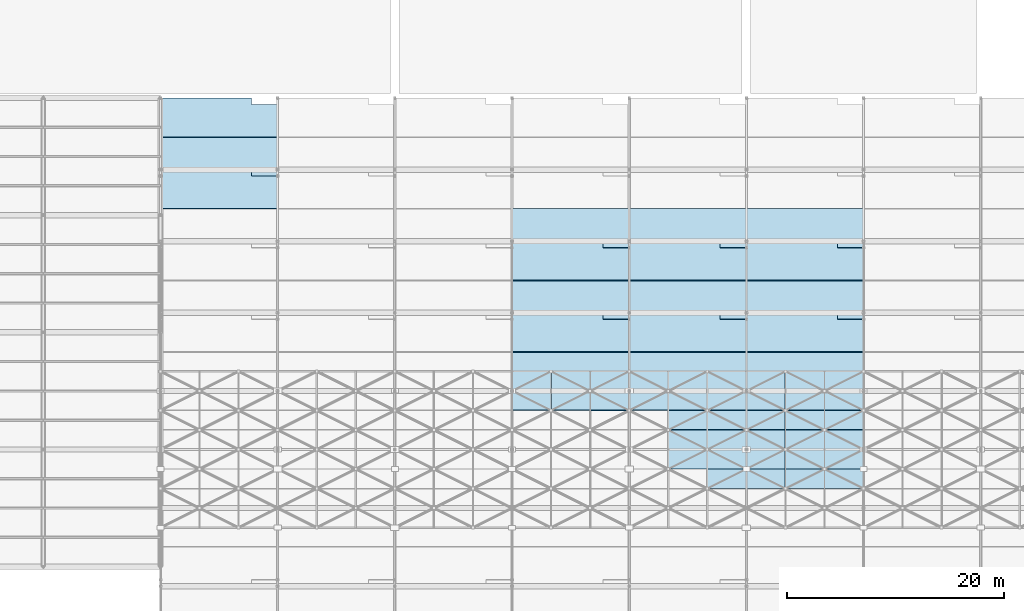
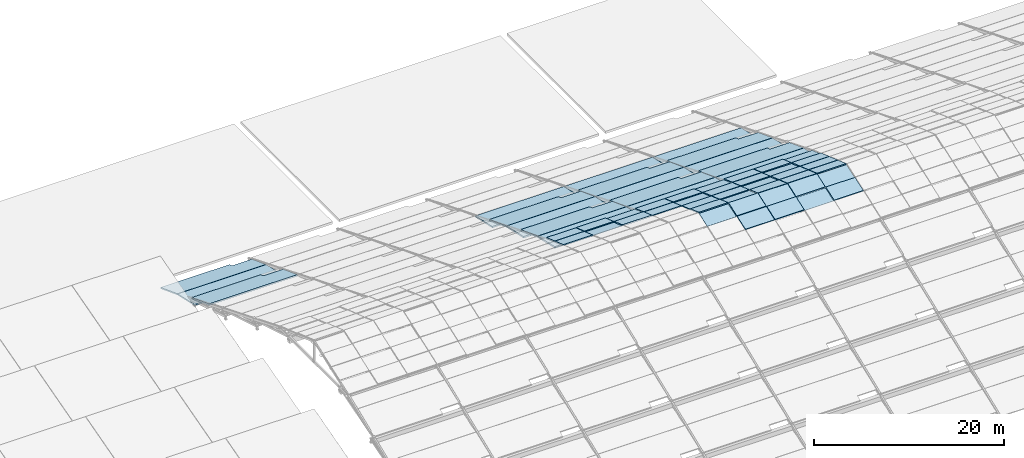
# One storey, part 100 of 112: 37 plates, 18 slabs, 3 elements without a shape of their own.
"""IFC4 building model written with IfcOpenShell, lengths in metres."""

import ifcopenshell
import ifcopenshell.guid

model = None  # the IFC model being written
_history = None  # IfcOwnerHistory: only IFC2X3 demands one
_inside = {}  # id of a spatial element -> (the spatial element, [elements in it])
_under = {}  # id of a project, library or spatial element -> (it, [spatial elements below it])
_declared = {}  # id of a project -> (the project, [libraries it declares])
_typed = {}  # id of a type object -> (the type object, [elements of that type])
_made_of = {}  # id of a material, layer set ... -> (it, [elements and type objects made of it])


def new_model(schema):
    """Start an empty IFC model of exactly this schema.

    Asked for "IFC4X3", IfcOpenShell would pick the latest addendum, in which some entities
    have other attributes; the version numbers below select the first issue.
    IFC2X3 requires an IfcOwnerHistory on every rooted entity: one is made here for all.
    """
    global model, _history
    if schema == "IFC4X3":
        model = ifcopenshell.file(schema_version=(4, 3, 0, 0))
    else:
        model = ifcopenshell.file(schema=schema)
    _inside.clear()
    _under.clear()
    _declared.clear()
    _typed.clear()
    _made_of.clear()
    _history = None
    if model.schema == "IFC2X3":
        org = make("IfcOrganization", Name="unknown")
        user = make(
            "IfcPersonAndOrganization",
            ThePerson=make("IfcPerson", FamilyName="unknown"),
            TheOrganization=org,
        )
        app = make(
            "IfcApplication",
            ApplicationDeveloper=org,
            Version="unknown",
            ApplicationFullName="unknown",
            ApplicationIdentifier="unknown",
        )
        _history = make(
            "IfcOwnerHistory",
            OwningUser=user,
            OwningApplication=app,
            ChangeAction="ADDED",
            CreationDate=0,
        )
    return model


def make(cls, **values):
    """One entity of the class cls with the attributes given. An attribute that is None is left unset."""
    return model.create_entity(
        cls, **{name: value for name, value in values.items() if value is not None}
    )


def rooted(cls, **values):
    """An entity with a GlobalId (a new one), such as an element, a storey or a relation."""
    return make(cls, GlobalId=ifcopenshell.guid.new(), OwnerHistory=_history, **values)


def si_unit(unit_type, name, prefix=None):
    """IfcSIUnit, for example si_unit("LENGTHUNIT", "METRE", prefix="MILLI")."""
    return make("IfcSIUnit", UnitType=unit_type, Prefix=prefix, Name=name)


def assignment(units):
    """IfcUnitAssignment: the units of a project."""
    return None if units is None else make("IfcUnitAssignment", Units=units)


def point(xyz):
    """IfcCartesianPoint."""
    return None if xyz is None else make("IfcCartesianPoint", Coordinates=xyz)


def direction(xyz):
    """IfcDirection."""
    return None if xyz is None else make("IfcDirection", DirectionRatios=xyz)


def frame(location, z_axis=None, x_axis=None):
    """IfcAxis2Placement3D, a coordinate frame: its origin and axes. An axis left out is left unset."""
    return make(
        "IfcAxis2Placement3D",
        Location=point(location),
        Axis=direction(z_axis),
        RefDirection=direction(x_axis),
    )


def origin():
    """The frame at (0, 0, 0) with its axes left unset."""
    return frame((0.0, 0.0, 0.0))


def place(relative_to, where):
    """IfcLocalPlacement: puts the frame where relative to a parent placement (None: the world)."""
    return make(
        "IfcLocalPlacement", PlacementRelTo=relative_to, RelativePlacement=where
    )


def context(
    kind, dimensions, precision=None, world=None, true_north=None, identifier=None
):
    """IfcGeometricRepresentationContext, for example the 3D "Model" context."""
    return make(
        "IfcGeometricRepresentationContext",
        ContextIdentifier=identifier,
        ContextType=kind,
        CoordinateSpaceDimension=dimensions,
        Precision=precision,
        WorldCoordinateSystem=world,
        TrueNorth=true_north,
    )


def subcontext(parent, identifier, kind, view, scale=None):
    """IfcGeometricRepresentationSubContext, for example "Body" below "Model"."""
    return make(
        "IfcGeometricRepresentationSubContext",
        ContextIdentifier=identifier,
        ContextType=kind,
        ParentContext=parent,
        TargetScale=scale,
        TargetView=view,
    )


def project(units=None, contexts=None):
    """IfcProject with its units and contexts."""
    return rooted(
        "IfcProject",
        Name="project",
        RepresentationContexts=contexts,
        UnitsInContext=assignment(units),
    )


def spatial(cls, under=None, at=None, **own):
    """A site, building, storey or space (cls), placed at a placement, below another one or the project."""
    s = rooted(cls, ObjectPlacement=at, **own)
    if under is not None:
        _under.setdefault(under.id(), (under, []))[1].append(s)
    return s


def polyline(points):
    """IfcPolyline through the points."""
    return make("IfcPolyline", Points=[point(p) for p in points])


def outline(outer, holes=None, kind="AREA"):
    """IfcArbitraryClosedProfileDef: a profile drawn as a closed curve; with holes, ...WithVoids."""
    if holes is None:
        return make("IfcArbitraryClosedProfileDef", ProfileType=kind, OuterCurve=outer)
    return make(
        "IfcArbitraryProfileDefWithVoids",
        ProfileType=kind,
        OuterCurve=outer,
        InnerCurves=holes,
    )


def extrude(swept, where, along, depth):
    """IfcExtrudedAreaSolid: the profile swept, set in the frame where, extruded along a direction by depth."""
    return make(
        "IfcExtrudedAreaSolid",
        SweptArea=swept,
        Position=where,
        ExtrudedDirection=direction(along),
        Depth=depth,
    )


def shape(context_of_items, identifier, shape_type, items):
    """IfcShapeRepresentation: the items that make up one representation, for example the "Body"."""
    return make(
        "IfcShapeRepresentation",
        ContextOfItems=context_of_items,
        RepresentationIdentifier=identifier,
        RepresentationType=shape_type,
        Items=items,
    )


def material(Name=None, Category=None):
    """IfcMaterial."""
    return make("IfcMaterial", Name=Name, Category=Category)


def layer(
    of_material, thickness, ventilated=None, Name=None, Category=None, Priority=None
):
    """IfcMaterialLayer: one layer of a wall or slab, of a material (None: an air gap)."""
    return make(
        "IfcMaterialLayer",
        Material=of_material,
        LayerThickness=thickness,
        IsVentilated=ventilated,
        Name=Name,
        Category=Category,
        Priority=Priority,
    )


def layer_set(layers, Name=None):
    """IfcMaterialLayerSet."""
    return make("IfcMaterialLayerSet", MaterialLayers=layers, LayerSetName=Name)


def made_of(thing, what):
    """Note that an element or type object is made of a material, layer set ...; save() writes the relation."""
    if what is not None:
        _made_of.setdefault(what.id(), (what, []))[1].append(thing)
    return thing


def type_object(cls, material=None, **own):
    """A type object (cls), such as IfcWallType, which elements share."""
    return made_of(rooted(cls, **own), material)


def element(
    cls,
    number,
    at=None,
    inside=None,
    cuts=None,
    type_object=None,
    material=None,
    context=None,
    identifier="Body",
    shape_type=None,
    held_by="IfcProductDefinitionShape",
    body=None,
    shapes=None,
    **own,
):
    """One element of the class cls, such as IfcWall. Its Tag is "e" and its number.

    at: its placement. inside: the storey or other place that contains it. cuts: it is an
    opening in that element (IfcRelVoidsElement). A single representation is given by context,
    identifier, shape_type and body (its items); several are given by shapes. held_by: the class
    of the entity that holds the representations. save() writes the other relations.
    """
    e = rooted(cls, Tag="e%d" % number, ObjectPlacement=at, **own)
    if body is not None:
        shapes = [shape(context, identifier, shape_type, body)]
    if shapes is not None:
        e.Representation = make(held_by, Representations=shapes)
    if inside is not None:
        _inside.setdefault(inside.id(), (inside, []))[1].append(e)
    if cuts is not None:
        rooted(
            "IfcRelVoidsElement", RelatingBuildingElement=cuts, RelatedOpeningElement=e
        )
    if type_object is not None:
        _typed.setdefault(type_object.id(), (type_object, []))[1].append(e)
    return made_of(e, material)


def aggregate(whole, parts):
    """IfcRelAggregates: a whole, such as a stair, and the parts it consists of."""
    return rooted("IfcRelAggregates", RelatingObject=whole, RelatedObjects=parts)


def save(model, path):
    """Write the relations noted so far, then the file.

    IfcRelAggregates (storeys below a building ...), IfcRelContainedInSpatialStructure (elements
    in a storey), IfcRelDefinesByType, IfcRelAssociatesMaterial and IfcRelDeclares: one each for
    every whole, place, type object, material and project.
    """
    for whole, parts in _under.values():
        aggregate(whole, parts)
    for where, things in _inside.values():
        rooted(
            "IfcRelContainedInSpatialStructure",
            RelatedElements=things,
            RelatingStructure=where,
        )
    for kind, things in _typed.values():
        rooted("IfcRelDefinesByType", RelatedObjects=things, RelatingType=kind)
    for what, things in _made_of.values():
        rooted("IfcRelAssociatesMaterial", RelatedObjects=things, RelatingMaterial=what)
    for by, libraries in _declared.values():
        rooted("IfcRelDeclares", RelatingContext=by, RelatedDefinitions=libraries)
    model.write(path)


model = new_model("IFC4")

# Units and contexts
model_context = context("Model", 3, precision=1e-05, world=origin(), true_north=direction((0.0, 1.0)))
body_context = subcontext(model_context, "Body", "Model", "MODEL_VIEW")
ifc_project = project(units=[si_unit("LENGTHUNIT", "METRE"), si_unit("AREAUNIT", "SQUARE_METRE"), si_unit("VOLUMEUNIT", "CUBIC_METRE"), si_unit("PLANEANGLEUNIT", "RADIAN"), si_unit("MASSUNIT", "GRAM", prefix="KILO")], contexts=[model_context])

# Site, building, storey
site_placement = place(None, origin())
site = spatial("IfcSite", under=ifc_project, at=site_placement, CompositionType="ELEMENT")
building_placement = place(site_placement, origin())
building = spatial("IfcBuilding", under=site, at=building_placement, Name="Zwinboog Wholesale Market", CompositionType="ELEMENT")
storey_placement = place(building_placement, frame((0.0, 0.0, 19.080078125)))
storey = spatial("IfcBuildingStorey", under=building, at=storey_placement, Name="Roof", CompositionType="ELEMENT", Elevation=19.080078125)

# Roof, slabs
ifc_material_1 = material(Name="Concrete C50/60", Category="concrete")
roof_type = type_object("IfcRoofType", Name="RFT-SHELL-BARREL", PredefinedType="BARREL_ROOF", material=ifc_material_1)
roof_1_placement = place(storey_placement, origin())
roof_1 = element("IfcRoof", 1, at=roof_1_placement, inside=storey, type_object=roof_type, Name="RF-SH (ROOF-BARREL-01)", PredefinedType="BARREL_ROOF")
ifc_layer_1 = layer(ifc_material_1, 0.159912109375)
ifc_layer_set_1 = layer_set([ifc_layer_1], Name="Concrete C50/60")
slab_type_1 = type_object("IfcSlabType", Name="SLT-SH-160", PredefinedType="ROOF", material=ifc_layer_set_1)
slab_1_placement = place(storey_placement, frame((64.81005859375, 104.409912109375, -8.135009765625), z_axis=(4.693168e-06, 0.35168856816, 0.936117060524), x_axis=(0.999999999989, -1.650534e-06, -4.393355e-06)))
slab_1 = element("IfcSlab", 2, at=slab_1_placement, type_object=slab_type_1, Name="SH-160 (SLB-SH-NT1-B01-1)", PredefinedType="ROOF", context=body_context, shape_type="SweptSolid", body=[
    extrude(outline(polyline([(0.0, 0.0), (10.78002929675628, 2.2827599967049336e-21), (10.780029297125427, 3.1833712437689723), (8.37988281277686, 3.1833712437689723), (8.379882812301984, 3.8243830316615175), (-1.0573042088097136e-10, 3.8243830316615175), (0.0, 0.0)])), origin(), (0.0, 0.0, -1.0), 0.159912109375),
])
slab_2_placement = place(storey_placement, frame((64.81005859375, 100.81005859375, -7.330078125), z_axis=(0.0, 0.219374447053, 0.975640739197), x_axis=(1.0, 0.0, 0.0)))
slab_2 = element("IfcSlab", 3, at=slab_2_placement, type_object=slab_type_1, Name="SH-160 (SLB-SH-NT1-B01-2)", PredefinedType="ROOF", context=body_context, shape_type="SweptSolid", body=[
    extrude(outline(polyline([(0.0, 0.0), (10.780029296875, 0.0), (10.780029296875, 3.6692133082944967), (0.0, 3.6692133082944967), (0.0, 0.0)])), origin(), (0.0, 0.0, -1.0), 0.159912109375),
])
ifc_layer_2 = layer(ifc_material_1, 0.172119140625)
ifc_layer_set_2 = layer_set([ifc_layer_2], Name="Concrete C50/60")
slab_type_2 = type_object("IfcSlabType", Name="SLT-SH-172", PredefinedType="ROOF", material=ifc_layer_set_2)
slab_3_placement = place(storey_placement, frame((64.81005859375, 97.81005859375, -5.43505859375), z_axis=(1.249569e-06, 0.351705539728, 0.936110684334), x_axis=(0.999999999999, -4.3948e-07, -1.169735e-06)))
slab_3 = element("IfcSlab", 4, at=slab_3_placement, type_object=slab_type_2, Name="SH-172 (SLB-SH-NT2-B01-1)", PredefinedType="ROOF", context=body_context, shape_type="SweptSolid", body=[
    extrude(outline(polyline([(0.0, 0.0), (10.780029296866584, 0.0), (10.780029296892753, 3.183371244671827), (8.379882812519627, 3.183371244671827), (8.379882812485961, 3.824154487977018), (-7.495290763518035e-12, 3.824154487977018), (0.0, 0.0)])), origin(), (0.0, 0.0, -1.0), 0.172119140625),
])

# Roof, slab
roof_2_placement = place(storey_placement, origin())
roof_2 = element("IfcRoof", 5, at=roof_2_placement, inside=storey, type_object=roof_type, Name="RF-SH (ROOF-BARREL-04)", PredefinedType="BARREL_ROOF")
slab_4_placement = place(storey_placement, frame((97.2099609375, 94.2099609375, -4.630126953125), z_axis=(0.0, 0.219360206869, 0.975643941017), x_axis=(1.0, 0.0, 0.0)))
slab_4 = element("IfcSlab", 6, at=slab_4_placement, type_object=slab_type_2, Name="SH-172 (SLB-SH-NT2-B04-2)", PredefinedType="ROOF", context=body_context, shape_type="SweptSolid", body=[
    extrude(outline(polyline([(0.0, 0.0), (10.780029296875, 0.0), (10.780029296875, 3.669451502225199), (0.0, 3.669451502225199), (0.0, 0.0)])), origin(), (0.0, 0.0, -1.0), 0.172119140625),
])

roof_3_placement = place(storey_placement, origin())
roof_3 = element("IfcRoof", 7, at=roof_3_placement, inside=storey, type_object=roof_type, Name="RF-SH (ROOF-BARREL-05)", PredefinedType="BARREL_ROOF")
slab_5_placement = place(storey_placement, frame((108.010009765625, 94.2099609375, -4.630126953125), z_axis=(0.0, 0.219360206869, 0.975643941017), x_axis=(1.0, 0.0, 0.0)))
slab_5 = element("IfcSlab", 8, at=slab_5_placement, type_object=slab_type_2, Name="SH-172 (SLB-SH-NT2-B05-2)", PredefinedType="ROOF", context=body_context, shape_type="SweptSolid", body=[
    extrude(outline(polyline([(0.0, 0.0), (10.780029296875, 0.0), (10.780029296875, 3.669451502225199), (0.0, 3.669451502225199), (0.0, 0.0)])), origin(), (0.0, 0.0, -1.0), 0.172119140625),
])

# Slab
slab_6_placement = place(storey_placement, frame((118.81005859375, 94.2099609375, -4.630126953125), z_axis=(0.0, 0.219360206869, 0.975643941017), x_axis=(1.0, 0.0, 0.0)))
slab_6 = element("IfcSlab", 9, at=slab_6_placement, type_object=slab_type_2, Name="SH-172 (SLB-SH-NT2-B06-2)", PredefinedType="ROOF", context=body_context, shape_type="SweptSolid", body=[
    extrude(outline(polyline([(0.0, 0.0), (10.780029296875, 0.0), (10.780029296875, 3.669451502225199), (0.0, 3.669451502225199), (0.0, 0.0)])), origin(), (0.0, 0.0, -1.0), 0.172119140625),
])

ifc_layer_3 = layer(ifc_material_1, 0.18603515625)
ifc_layer_set_3 = layer_set([ifc_layer_3], Name="Concrete C50/60")
slab_type_3 = type_object("IfcSlabType", Name="SLT-SH-186", PredefinedType="ROOF", material=ifc_layer_set_3)
slab_7_placement = place(storey_placement, frame((97.2099609375, 91.2099609375, -2.735107421875), z_axis=(4.69315e-06, 0.351688567577, 0.936117060743), x_axis=(0.999999999989, -1.650527e-06, -4.393337e-06)))
slab_7 = element("IfcSlab", 10, at=slab_7_placement, type_object=slab_type_3, Name="SH-186 (SLB-SH-NT3-B04-1)", PredefinedType="ROOF", context=body_context, shape_type="SweptSolid", body=[
    extrude(outline(polyline([(0.0, 0.0), (10.78002929675628, 2.2827599967049336e-21), (10.780029297125436, 3.183371243768923), (8.380126953401867, 3.183371243768923), (8.380126952926993, 3.824383031661531), (-1.0571883235301646e-10, 3.824383031661531), (0.0, 0.0)])), origin(), (0.0, 0.0, -1.0), 0.18603515625),
])

slab_8_placement = place(storey_placement, frame((97.2099609375, 87.610107421875, -1.93017578125), z_axis=(0.0, 0.219374447053, 0.975640739197), x_axis=(1.0, 0.0, 0.0)))
slab_8 = element("IfcSlab", 11, at=slab_8_placement, type_object=slab_type_3, Name="SH-186 (SLB-SH-NT3-B04-2)", PredefinedType="ROOF", context=body_context, shape_type="SweptSolid", body=[
    extrude(outline(polyline([(0.0, 0.0), (10.780029296875, 0.0), (10.780029296875, 3.6692133082944967), (0.0, 3.6692133082944967), (0.0, 0.0)])), origin(), (0.0, 0.0, -1.0), 0.18603515625),
])

slab_9_placement = place(storey_placement, frame((108.010009765625, 91.2099609375, -2.735107421875), z_axis=(4.693168e-06, 0.35168856816, 0.936117060524), x_axis=(0.999999999989, -1.650534e-06, -4.393355e-06)))
slab_9 = element("IfcSlab", 12, at=slab_9_placement, type_object=slab_type_3, Name="SH-186 (SLB-SH-NT3-B05-1)", PredefinedType="ROOF", context=body_context, shape_type="SweptSolid", body=[
    extrude(outline(polyline([(0.0, 0.0), (10.78002929675628, 2.2827599967049336e-21), (10.780029297125427, 3.1833712437689723), (8.37988281277686, 3.1833712437689723), (8.379882812301984, 3.8243830316615175), (-1.0573042088097136e-10, 3.8243830316615175), (0.0, 0.0)])), origin(), (0.0, 0.0, -1.0), 0.18603515625),
])

slab_10_placement = place(storey_placement, frame((108.010009765625, 87.610107421875, -1.93017578125), z_axis=(0.0, 0.219374447053, 0.975640739197), x_axis=(1.0, 0.0, 0.0)))
slab_10 = element("IfcSlab", 13, at=slab_10_placement, type_object=slab_type_3, Name="SH-186 (SLB-SH-NT3-B05-2)", PredefinedType="ROOF", context=body_context, shape_type="SweptSolid", body=[
    extrude(outline(polyline([(0.0, 0.0), (10.780029296875, 0.0), (10.780029296875, 3.6692133082944967), (0.0, 3.6692133082944967), (0.0, 0.0)])), origin(), (0.0, 0.0, -1.0), 0.18603515625),
])

slab_11_placement = place(storey_placement, frame((118.81005859375, 91.2099609375, -2.735107421875), z_axis=(4.693168e-06, 0.35168856816, 0.936117060524), x_axis=(0.999999999989, -1.650534e-06, -4.393355e-06)))
slab_11 = element("IfcSlab", 14, at=slab_11_placement, type_object=slab_type_3, Name="SH-186 (SLB-SH-NT3-B06-1)", PredefinedType="ROOF", context=body_context, shape_type="SweptSolid", body=[
    extrude(outline(polyline([(0.0, 0.0), (10.78002929675628, 2.2827599967049336e-21), (10.780029297125427, 3.1833712437689723), (8.37988281277686, 3.1833712437689723), (8.379882812301984, 3.8243830316615175), (-1.0573042088097136e-10, 3.8243830316615175), (0.0, 0.0)])), origin(), (0.0, 0.0, -1.0), 0.18603515625),
])

slab_12_placement = place(storey_placement, frame((118.81005859375, 87.610107421875, -1.93017578125), z_axis=(0.0, 0.219374447053, 0.975640739197), x_axis=(1.0, 0.0, 0.0)))
slab_12 = element("IfcSlab", 15, at=slab_12_placement, type_object=slab_type_3, Name="SH-186 (SLB-SH-NT3-B06-2)", PredefinedType="ROOF", context=body_context, shape_type="SweptSolid", body=[
    extrude(outline(polyline([(0.0, 0.0), (10.780029296875, 0.0), (10.780029296875, 3.6692133082944967), (0.0, 3.6692133082944967), (0.0, 0.0)])), origin(), (0.0, 0.0, -1.0), 0.18603515625),
])

ifc_layer_4 = layer(ifc_material_1, 0.201904296875)
ifc_layer_set_4 = layer_set([ifc_layer_4], Name="Concrete C50/60")
slab_type_4 = type_object("IfcSlabType", Name="SLT-SH-202", PredefinedType="ROOF", material=ifc_layer_set_4)
slab_13_placement = place(storey_placement, frame((97.2099609375, 84.610107421875, -0.03515625), z_axis=(1.249564e-06, 0.351705539572, 0.936110684392), x_axis=(0.999999999999, -4.39479e-07, -1.169731e-06)))
slab_13 = element("IfcSlab", 16, at=slab_13_placement, type_object=slab_type_4, Name="SH-202 (SLB-SH-NT4-B04-1)", PredefinedType="ROOF", context=body_context, shape_type="SweptSolid", body=[
    extrude(outline(polyline([(0.0, 0.0), (10.780029296866584, -5.706899991762334e-22), (10.780029296892753, 3.183371244671823), (8.380126953144627, 3.183371244671823), (8.380126953110963, 3.824154487977019), (-7.494469264378976e-12, 3.824154487977019), (0.0, 0.0)])), origin(), (0.0, 0.0, -1.0), 0.201904296875),
])

slab_14_placement = place(storey_placement, frame((97.2099609375, 81.010009765625, 0.77001953125), z_axis=(0.0, 0.219423537249, 0.975629699887), x_axis=(1.0, 0.0, 0.0)))
slab_14 = element("IfcSlab", 17, at=slab_14_placement, type_object=slab_type_4, Name="SH-202 (SLB-SH-NT4-B04-2)", PredefinedType="ROOF", context=body_context, shape_type="SweptSolid", body=[
    extrude(outline(polyline([(0.0, 0.0), (10.780029296875, 0.0), (10.780029296875, 3.66950506469402), (0.0, 3.66950506469402), (0.0, 0.0)])), origin(), (0.0, 0.0, -1.0), 0.201904296875),
])

aggregate(roof_2, [slab_4, slab_7, slab_8, slab_13, slab_14])

slab_15_placement = place(storey_placement, frame((108.010009765625, 84.610107421875, -0.03515625), z_axis=(1.249569e-06, 0.351705539728, 0.936110684334), x_axis=(0.999999999999, -4.3948e-07, -1.169735e-06)))
slab_15 = element("IfcSlab", 18, at=slab_15_placement, type_object=slab_type_4, Name="SH-202 (SLB-SH-NT4-B05-1)", PredefinedType="ROOF", context=body_context, shape_type="SweptSolid", body=[
    extrude(outline(polyline([(0.0, 0.0), (10.780029296866584, 0.0), (10.780029296892753, 3.183371244671827), (8.379882812519627, 3.183371244671827), (8.379882812485961, 3.824154487977018), (-7.495290763518035e-12, 3.824154487977018), (0.0, 0.0)])), origin(), (0.0, 0.0, -1.0), 0.201904296875),
])

slab_16_placement = place(storey_placement, frame((108.010009765625, 81.010009765625, 0.77001953125), z_axis=(0.0, 0.219423537249, 0.975629699887), x_axis=(1.0, 0.0, 0.0)))
slab_16 = element("IfcSlab", 19, at=slab_16_placement, type_object=slab_type_4, Name="SH-202 (SLB-SH-NT4-B05-2)", PredefinedType="ROOF", context=body_context, shape_type="SweptSolid", body=[
    extrude(outline(polyline([(0.0, 0.0), (10.780029296875, 0.0), (10.780029296875, 3.66950506469402), (0.0, 3.66950506469402), (0.0, 0.0)])), origin(), (0.0, 0.0, -1.0), 0.201904296875),
])

aggregate(roof_3, [slab_5, slab_9, slab_10, slab_15, slab_16])

slab_17_placement = place(storey_placement, frame((118.81005859375, 84.610107421875, -0.03515625), z_axis=(1.249569e-06, 0.351705539728, 0.936110684334), x_axis=(0.999999999999, -4.3948e-07, -1.169735e-06)))
slab_17 = element("IfcSlab", 20, at=slab_17_placement, type_object=slab_type_4, Name="SH-202 (SLB-SH-NT4-B06-1)", PredefinedType="ROOF", context=body_context, shape_type="SweptSolid", body=[
    extrude(outline(polyline([(0.0, 0.0), (10.780029296866584, 0.0), (10.780029296892753, 3.183371244671827), (8.379882812519627, 3.183371244671827), (8.379882812485961, 3.824154487977018), (-7.495290763518035e-12, 3.824154487977018), (0.0, 0.0)])), origin(), (0.0, 0.0, -1.0), 0.201904296875),
])

slab_18_placement = place(storey_placement, frame((118.81005859375, 81.010009765625, 0.77001953125), z_axis=(0.0, 0.219423537249, 0.975629699887), x_axis=(1.0, 0.0, 0.0)))
slab_18 = element("IfcSlab", 21, at=slab_18_placement, type_object=slab_type_4, Name="SH-202 (SLB-SH-NT4-B06-2)", PredefinedType="ROOF", context=body_context, shape_type="SweptSolid", body=[
    extrude(outline(polyline([(0.0, 0.0), (10.780029296875, 0.0), (10.780029296875, 3.66950506469402), (0.0, 3.66950506469402), (0.0, 0.0)])), origin(), (0.0, 0.0, -1.0), 0.201904296875),
])

aggregate(roof_1, [slab_1, slab_2, slab_3, slab_6, slab_11, slab_12, slab_17, slab_18])

# Plates
ifc_material_2 = material(Name="Blue solar control glass", Category="glass")
ifc_layer_5 = layer(ifc_material_2, 0.030029296875)
ifc_layer_set_5 = layer_set([ifc_layer_5], Name="Blue solar control glass")
plate_type_1 = type_object("IfcPlateType", Name="PLT-SKG-01", PredefinedType="SHEET", material=ifc_layer_set_5)
plate_1_placement = place(storey_placement, frame((104.419921875, 81.02001953125, 1.38037109375), z_axis=(0.0, 0.333825357548, 0.942634940291), x_axis=(1.0, 0.0, 0.0)))
element("IfcPlate", 22, at=plate_1_placement, inside=storey, type_object=plate_type_1, Name="SKG-01 (PLT-SKY-0112)", PredefinedType="SHEET", context=body_context, shape_type="SweptSolid", body=[
    extrude(outline(polyline([(0.0, 0.0), (3.56005859375, 0.0), (3.56005859375, 1.8671170464794682), (0.0, 1.8671170464794682), (0.0, 0.0)])), origin(), (0.0, 0.0, -1.0), 0.030029296875),
])
plate_2_placement = place(storey_placement, frame((115.219970703125, 75.6201171875, 3.292724609375), z_axis=(0.0, 0.333866508657, 0.942620366), x_axis=(1.0, 0.0, 0.0)))
element("IfcPlate", 23, at=plate_2_placement, inside=storey, type_object=plate_type_1, Name="SKG-01 (PLT-SKY-0137)", PredefinedType="SHEET", context=body_context, shape_type="SweptSolid", body=[
    extrude(outline(polyline([(0.0, 0.0), (3.56005859375, 0.0), (3.56005859375, 1.866886912774977), (0.0, 1.866886912774977), (0.0, 0.0)])), origin(), (0.0, 0.0, -1.0), 0.030029296875),
])
for number, where, z_axis, x_axis, name in (
    (24, (122.419921875, 72.02001953125, 2.031982421875), (0.0, -0.333825357548, 0.942634940291), (1.0, 0.0, 0.0), "SKG-01 (PLT-SKY-0155)"),
    (25, (126.02001953125, 81.02001953125, 1.38037109375), (0.0, 0.333825357548, 0.942634940291), (1.0, 0.0, 0.0), "SKG-01 (PLT-SKY-0168)"),
):
    element("IfcPlate", number, at=place(storey_placement, frame(where, z_axis=z_axis, x_axis=x_axis)), inside=storey, type_object=plate_type_1, Name=name, PredefinedType="SHEET", context=body_context, shape_type="SweptSolid", body=[
        extrude(outline(polyline([(0.0, 0.0), (3.56005859375, 0.0), (3.56005859375, 1.8671170464794682), (0.0, 1.8671170464794682), (0.0, 0.0)])), origin(), (0.0, 0.0, -1.0), 0.030029296875),
    ])
ifc_layer_6 = layer(ifc_material_2, 0.033935546875)
ifc_layer_set_6 = layer_set([ifc_layer_6], Name="Blue solar control glass")
plate_type_2 = type_object("IfcPlateType", Name="PLT-SKG-02", PredefinedType="SHEET", material=ifc_layer_set_6)
plate_3_placement = place(storey_placement, frame((111.6201171875, 79.219970703125, 2.021728515625), z_axis=(0.0, 0.333825357548, 0.942634940291), x_axis=(1.0, 0.0, 0.0)))
element("IfcPlate", 26, at=plate_3_placement, inside=storey, type_object=plate_type_2, Name="SKG-02 (PLT-SKY-0131)", PredefinedType="SHEET", context=body_context, shape_type="SweptSolid", body=[
    extrude(outline(polyline([(0.0, 0.0), (3.559814453125, 0.0), (3.559814453125, 1.8671170464794682), (0.0, 1.8671170464794682), (0.0, 0.0)])), origin(), (0.0, 0.0, -1.0), 0.033935546875),
])
ifc_layer_7 = layer(ifc_material_2, 0.0380859375)
ifc_layer_set_7 = layer_set([ifc_layer_7], Name="Blue solar control glass")
plate_type_3 = type_object("IfcPlateType", Name="PLT-SKG-03", PredefinedType="SHEET", material=ifc_layer_set_7)
plate_4_placement = place(storey_placement, frame((118.820068359375, 77.419921875, 2.663330078125), z_axis=(0.0, 0.333825357548, 0.942634940291), x_axis=(1.0, 0.0, 0.0)))
element("IfcPlate", 27, at=plate_4_placement, inside=storey, type_object=plate_type_3, Name="SKG-03 (PLT-SKY-0149)", PredefinedType="SHEET", context=body_context, shape_type="SweptSolid", body=[
    extrude(outline(polyline([(0.0, 0.0), (3.559814453125, 0.0), (3.559814453125, 1.8671170464794682), (0.0, 1.8671170464794682), (0.0, 0.0)])), origin(), (0.0, 0.0, -1.0), 0.0380859375),
])
plate_5_placement = place(storey_placement, frame((126.02001953125, 73.820068359375, 2.677490234375), z_axis=(0.0, -0.333825357548, 0.942634940291), x_axis=(1.0, 0.0, 0.0)))
element("IfcPlate", 28, at=plate_5_placement, inside=storey, type_object=plate_type_3, Name="SKG-03 (PLT-SKY-0164)", PredefinedType="SHEET", context=body_context, shape_type="SweptSolid", body=[
    extrude(outline(polyline([(0.0, 0.0), (3.56005859375, 0.0), (3.56005859375, 1.8671170464794682), (0.0, 1.8671170464794682), (0.0, 0.0)])), origin(), (0.0, 0.0, -1.0), 0.0380859375),
])
ifc_layer_8 = layer(ifc_material_2, 0.0419921875)
ifc_layer_set_8 = layer_set([ifc_layer_8], Name="Blue solar control glass")
plate_type_4 = type_object("IfcPlateType", Name="PLT-SKG-04", PredefinedType="SHEET", material=ifc_layer_set_8)
plate_6_placement = place(storey_placement, frame((115.219970703125, 81.02001953125, 1.392333984375), z_axis=(0.0, 0.333825357548, 0.942634940291), x_axis=(1.0, 0.0, 0.0)))
element("IfcPlate", 29, at=plate_6_placement, inside=storey, type_object=plate_type_4, Name="SKG-04 (PLT-SKY-0140)", PredefinedType="SHEET", context=body_context, shape_type="SweptSolid", body=[
    extrude(outline(polyline([(0.0, 0.0), (3.56005859375, 0.0), (3.56005859375, 1.8671170464794682), (0.0, 1.8671170464794682), (0.0, 0.0)])), origin(), (0.0, 0.0, -1.0), 0.0419921875),
])
ifc_layer_9 = layer(ifc_material_2, 0.0458984375)
ifc_layer_set_9 = layer_set([ifc_layer_9], Name="Blue solar control glass")
plate_type_5 = type_object("IfcPlateType", Name="PLT-SKG-05", PredefinedType="SHEET", material=ifc_layer_set_9)
plate_7_placement = place(storey_placement, frame((100.820068359375, 79.219970703125, 2.033935546875), z_axis=(0.0, 0.333941536415, 0.942593788573), x_axis=(1.0, 0.0, 0.0)))
element("IfcPlate", 30, at=plate_7_placement, inside=storey, type_object=plate_type_5, Name="SKG-05 (PLT-SKY-0103)", PredefinedType="SHEET", context=body_context, shape_type="SweptSolid", body=[
    extrude(outline(polyline([(0.0, 0.0), (3.559814453125, 0.0), (3.559814453125, 1.867198560993201), (0.0, 1.867198560993201), (0.0, 0.0)])), origin(), (0.0, 0.0, -1.0), 0.0458984375),
])
plate_8_placement = place(storey_placement, frame((111.6201171875, 73.820068359375, 2.685546875), z_axis=(0.0, -0.333825357548, 0.942634940291), x_axis=(1.0, 0.0, 0.0)))
element("IfcPlate", 31, at=plate_8_placement, inside=storey, type_object=plate_type_5, Name="SKG-05 (PLT-SKY-0128)", PredefinedType="SHEET", context=body_context, shape_type="SweptSolid", body=[
    extrude(outline(polyline([(0.0, 0.0), (3.559814453125, 0.0), (3.559814453125, 1.8671170464794682), (0.0, 1.8671170464794682), (0.0, 0.0)])), origin(), (0.0, 0.0, -1.0), 0.0458984375),
])
plate_9_placement = place(storey_placement, frame((122.419921875, 79.219970703125, 2.033935546875), z_axis=(0.0, 0.333941536415, 0.942593788573), x_axis=(1.0, 0.0, 0.0)))
element("IfcPlate", 32, at=plate_9_placement, inside=storey, type_object=plate_type_5, Name="SKG-05 (PLT-SKY-0159)", PredefinedType="SHEET", context=body_context, shape_type="SweptSolid", body=[
    extrude(outline(polyline([(0.0, 0.0), (3.56005859375, 0.0), (3.56005859375, 1.8671985609932005), (0.0, 1.8671985609932005), (0.0, 0.0)])), origin(), (0.0, 0.0, -1.0), 0.0458984375),
])
ifc_material_3 = material(Name="White insulated aluminium roof panel", Category="aluminium")
ifc_layer_10 = layer(ifc_material_3, 0.110107421875)
ifc_layer_set_10 = layer_set([ifc_layer_10], Name="White insulated aluminium roof panel")
plate_type_6 = type_object("IfcPlateType", Name="PLT-SKW-01", PredefinedType="USERDEFINED", material=ifc_layer_set_10)
plate_10_placement = place(storey_placement, frame((108.02001953125, 79.219970703125, 2.097900390625), z_axis=(0.0, 0.333825357548, 0.942634940291), x_axis=(1.0, 0.0, 0.0)))
element("IfcPlate", 33, at=plate_10_placement, inside=storey, type_object=plate_type_6, Name="SKW-01 (PLT-SKY-0122)", ObjectType="INSULATED_ROOF_PANEL", PredefinedType="USERDEFINED", context=body_context, shape_type="SweptSolid", body=[
    extrude(outline(polyline([(0.0, 0.0), (3.56005859375, 0.0), (3.56005859375, 1.8671170464794682), (0.0, 1.8671170464794682), (0.0, 0.0)])), origin(), (0.0, 0.0, -1.0), 0.110107421875),
])
for number, where, z_axis, x_axis, name in (
    (34, (111.6201171875, 77.419921875, 2.7353515625), (0.0, 0.333825357548, 0.942634940291), (1.0, 0.0, 0.0), "SKW-01 (PLT-SKY-0130)"),
    (35, (118.820068359375, 73.820068359375, 2.74951171875), (0.0, -0.333825357548, 0.942634940291), (1.0, 0.0, 0.0), "SKW-01 (PLT-SKY-0146)"),
):
    element("IfcPlate", number, at=place(storey_placement, frame(where, z_axis=z_axis, x_axis=x_axis)), inside=storey, type_object=plate_type_6, Name=name, ObjectType="INSULATED_ROOF_PANEL", PredefinedType="USERDEFINED", context=body_context, shape_type="SweptSolid", body=[
        extrude(outline(polyline([(0.0, 0.0), (3.559814453125, 0.0), (3.559814453125, 1.8671170464794682), (0.0, 1.8671170464794682), (0.0, 0.0)])), origin(), (0.0, 0.0, -1.0), 0.110107421875),
    ])
ifc_layer_11 = layer(ifc_material_3, 0.1201171875)
ifc_layer_set_11 = layer_set([ifc_layer_11], Name="White insulated aluminium roof panel")
plate_type_7 = type_object("IfcPlateType", Name="PLT-SKW-02", PredefinedType="USERDEFINED", material=ifc_layer_set_11)
for number, where, z_axis, x_axis, name in (
    (36, (108.02001953125, 81.02001953125, 1.47021484375), (0.0, 0.333825357548, 0.942634940291), (1.0, 0.0, 0.0), "SKW-02 (PLT-SKY-0124)"),
    (37, (115.219970703125, 77.419921875, 2.745361328125), (0.0, 0.333825357548, 0.942634940291), (1.0, 0.0, 0.0), "SKW-02 (PLT-SKY-0138)"),
):
    element("IfcPlate", number, at=place(storey_placement, frame(where, z_axis=z_axis, x_axis=x_axis)), inside=storey, type_object=plate_type_7, Name=name, ObjectType="INSULATED_ROOF_PANEL", PredefinedType="USERDEFINED", context=body_context, shape_type="SweptSolid", body=[
        extrude(outline(polyline([(0.0, 0.0), (3.56005859375, 0.0), (3.56005859375, 1.8671170464794682), (0.0, 1.8671170464794682), (0.0, 0.0)])), origin(), (0.0, 0.0, -1.0), 0.1201171875),
    ])
plate_11_placement = place(storey_placement, frame((118.820068359375, 75.6201171875, 3.3828125), z_axis=(0.0, 0.333866508657, 0.942620366), x_axis=(1.0, 0.0, 0.0)))
element("IfcPlate", 38, at=plate_11_placement, inside=storey, type_object=plate_type_7, Name="SKW-02 (PLT-SKY-0148)", ObjectType="INSULATED_ROOF_PANEL", PredefinedType="USERDEFINED", context=body_context, shape_type="SweptSolid", body=[
    extrude(outline(polyline([(0.0, 0.0), (3.559814453125, 0.0), (3.559814453125, 1.866886912774977), (0.0, 1.866886912774977), (0.0, 0.0)])), origin(), (0.0, 0.0, -1.0), 0.1201171875),
])
for number, where, z_axis, x_axis, name in (
    (39, (122.419921875, 73.820068359375, 2.759521484375), (0.0, -0.333825357548, 0.942634940291), (1.0, 0.0, 0.0), "SKW-02 (PLT-SKY-0156)"),
    (40, (126.02001953125, 72.02001953125, 2.1220703125), (0.0, -0.333825357548, 0.942634940291), (1.0, 0.0, 0.0), "SKW-02 (PLT-SKY-0163)"),
):
    element("IfcPlate", number, at=place(storey_placement, frame(where, z_axis=z_axis, x_axis=x_axis)), inside=storey, type_object=plate_type_7, Name=name, ObjectType="INSULATED_ROOF_PANEL", PredefinedType="USERDEFINED", context=body_context, shape_type="SweptSolid", body=[
        extrude(outline(polyline([(0.0, 0.0), (3.56005859375, 0.0), (3.56005859375, 1.8671170464794682), (0.0, 1.8671170464794682), (0.0, 0.0)])), origin(), (0.0, 0.0, -1.0), 0.1201171875),
    ])
ifc_layer_12 = layer(ifc_material_3, 0.1298828125)
ifc_layer_set_12 = layer_set([ifc_layer_12], Name="White insulated aluminium roof panel")
plate_type_8 = type_object("IfcPlateType", Name="PLT-SKW-03", PredefinedType="USERDEFINED", material=ifc_layer_set_12)
plate_12_placement = place(storey_placement, frame((111.6201171875, 81.02001953125, 1.480224609375), z_axis=(0.0, 0.333825357548, 0.942634940291), x_axis=(1.0, 0.0, 0.0)))
element("IfcPlate", 41, at=plate_12_placement, inside=storey, type_object=plate_type_8, Name="SKW-03 (PLT-SKY-0132)", ObjectType="INSULATED_ROOF_PANEL", PredefinedType="USERDEFINED", context=body_context, shape_type="SweptSolid", body=[
    extrude(outline(polyline([(0.0, 0.0), (3.559814453125, 0.0), (3.559814453125, 1.8671170464794682), (0.0, 1.8671170464794682), (0.0, 0.0)])), origin(), (0.0, 0.0, -1.0), 0.1298828125),
])
plate_13_placement = place(storey_placement, frame((115.219970703125, 79.219970703125, 2.117919921875), z_axis=(0.0, 0.333825357548, 0.942634940291), x_axis=(1.0, 0.0, 0.0)))
element("IfcPlate", 42, at=plate_13_placement, inside=storey, type_object=plate_type_8, Name="SKW-03 (PLT-SKY-0139)", ObjectType="INSULATED_ROOF_PANEL", PredefinedType="USERDEFINED", context=body_context, shape_type="SweptSolid", body=[
    extrude(outline(polyline([(0.0, 0.0), (3.56005859375, 0.0), (3.56005859375, 1.8671170464794682), (0.0, 1.8671170464794682), (0.0, 0.0)])), origin(), (0.0, 0.0, -1.0), 0.1298828125),
])
plate_14_placement = place(storey_placement, frame((122.419921875, 75.6201171875, 3.392822265625), z_axis=(0.0, 0.333866508657, 0.942620366), x_axis=(1.0, 0.0, 0.0)))
element("IfcPlate", 43, at=plate_14_placement, inside=storey, type_object=plate_type_8, Name="SKW-03 (PLT-SKY-0157)", ObjectType="INSULATED_ROOF_PANEL", PredefinedType="USERDEFINED", context=body_context, shape_type="SweptSolid", body=[
    extrude(outline(polyline([(0.0, 0.0), (3.56005859375, 0.0), (3.56005859375, 1.866886912774977), (0.0, 1.866886912774977), (0.0, 0.0)])), origin(), (0.0, 0.0, -1.0), 0.1298828125),
])
ifc_layer_13 = layer(ifc_material_3, 0.139892578125)
ifc_layer_set_13 = layer_set([ifc_layer_13], Name="White insulated aluminium roof panel")
plate_type_9 = type_object("IfcPlateType", Name="PLT-SKW-04", PredefinedType="USERDEFINED", material=ifc_layer_set_13)
plate_15_placement = place(storey_placement, frame((97.219970703125, 79.219970703125, 2.1279296875), z_axis=(0.0, 0.333825357548, 0.942634940291), x_axis=(1.0, 0.0, 0.0)))
element("IfcPlate", 44, at=plate_15_placement, inside=storey, type_object=plate_type_9, Name="SKW-04 (PLT-SKY-0094)", ObjectType="INSULATED_ROOF_PANEL", PredefinedType="USERDEFINED", context=body_context, shape_type="SweptSolid", body=[
    extrude(outline(polyline([(0.0, 0.0), (3.56005859375, 0.0), (3.56005859375, 1.8671170464794682), (0.0, 1.8671170464794682), (0.0, 0.0)])), origin(), (0.0, 0.0, -1.0), 0.139892578125),
])
plate_16_placement = place(storey_placement, frame((118.820068359375, 79.219970703125, 2.1279296875), z_axis=(0.0, 0.333825357548, 0.942634940291), x_axis=(1.0, 0.0, 0.0)))
element("IfcPlate", 45, at=plate_16_placement, inside=storey, type_object=plate_type_9, Name="SKW-04 (PLT-SKY-0150)", ObjectType="INSULATED_ROOF_PANEL", PredefinedType="USERDEFINED", context=body_context, shape_type="SweptSolid", body=[
    extrude(outline(polyline([(0.0, 0.0), (3.559814453125, 0.0), (3.559814453125, 1.8671170464794682), (0.0, 1.8671170464794682), (0.0, 0.0)])), origin(), (0.0, 0.0, -1.0), 0.139892578125),
])
plate_17_placement = place(storey_placement, frame((122.419921875, 77.419921875, 2.765380859375), z_axis=(0.0, 0.333825357548, 0.942634940291), x_axis=(1.0, 0.0, 0.0)))
element("IfcPlate", 46, at=plate_17_placement, inside=storey, type_object=plate_type_9, Name="SKW-04 (PLT-SKY-0158)", ObjectType="INSULATED_ROOF_PANEL", PredefinedType="USERDEFINED", context=body_context, shape_type="SweptSolid", body=[
    extrude(outline(polyline([(0.0, 0.0), (3.56005859375, 0.0), (3.56005859375, 1.8671170464794682), (0.0, 1.8671170464794682), (0.0, 0.0)])), origin(), (0.0, 0.0, -1.0), 0.139892578125),
])
plate_18_placement = place(storey_placement, frame((126.02001953125, 75.6201171875, 3.40283203125), z_axis=(0.0, 0.333866508657, 0.942620366), x_axis=(1.0, 0.0, 0.0)))
element("IfcPlate", 47, at=plate_18_placement, inside=storey, type_object=plate_type_9, Name="SKW-04 (PLT-SKY-0165)", ObjectType="INSULATED_ROOF_PANEL", PredefinedType="USERDEFINED", context=body_context, shape_type="SweptSolid", body=[
    extrude(outline(polyline([(0.0, 0.0), (3.56005859375, 0.0), (3.56005859375, 1.866886912774977), (0.0, 1.866886912774977), (0.0, 0.0)])), origin(), (0.0, 0.0, -1.0), 0.139892578125),
])
ifc_layer_14 = layer(ifc_material_3, 0.14990234375)
ifc_layer_set_14 = layer_set([ifc_layer_14], Name="White insulated aluminium roof panel")
plate_type_10 = type_object("IfcPlateType", Name="PLT-SKW-05", PredefinedType="USERDEFINED", material=ifc_layer_set_14)
for number, where, z_axis, x_axis, name in (
    (48, (97.219970703125, 81.02001953125, 1.500244140625), (0.0, 0.333825357548, 0.942634940291), (1.0, 0.0, 0.0), "SKW-05 (PLT-SKY-0096)"),
    (49, (115.219970703125, 72.02001953125, 2.152099609375), (0.0, -0.333825357548, 0.942634940291), (1.0, 0.0, 0.0), "SKW-05 (PLT-SKY-0135)"),
):
    element("IfcPlate", number, at=place(storey_placement, frame(where, z_axis=z_axis, x_axis=x_axis)), inside=storey, type_object=plate_type_10, Name=name, ObjectType="INSULATED_ROOF_PANEL", PredefinedType="USERDEFINED", context=body_context, shape_type="SweptSolid", body=[
        extrude(outline(polyline([(0.0, 0.0), (3.56005859375, 0.0), (3.56005859375, 1.8671170464794682), (0.0, 1.8671170464794682), (0.0, 0.0)])), origin(), (0.0, 0.0, -1.0), 0.14990234375),
    ])
plate_19_placement = place(storey_placement, frame((118.820068359375, 81.02001953125, 1.500244140625), z_axis=(0.0, 0.333825357548, 0.942634940291), x_axis=(1.0, 0.0, 0.0)))
element("IfcPlate", 50, at=plate_19_placement, inside=storey, type_object=plate_type_10, Name="SKW-05 (PLT-SKY-0152)", ObjectType="INSULATED_ROOF_PANEL", PredefinedType="USERDEFINED", context=body_context, shape_type="SweptSolid", body=[
    extrude(outline(polyline([(0.0, 0.0), (3.559814453125, 0.0), (3.559814453125, 1.8671170464794682), (0.0, 1.8671170464794682), (0.0, 0.0)])), origin(), (0.0, 0.0, -1.0), 0.14990234375),
])
plate_20_placement = place(storey_placement, frame((126.02001953125, 77.419921875, 2.775390625), z_axis=(0.0, 0.333825357548, 0.942634940291), x_axis=(1.0, 0.0, 0.0)))
element("IfcPlate", 51, at=plate_20_placement, inside=storey, type_object=plate_type_10, Name="SKW-05 (PLT-SKY-0166)", ObjectType="INSULATED_ROOF_PANEL", PredefinedType="USERDEFINED", context=body_context, shape_type="SweptSolid", body=[
    extrude(outline(polyline([(0.0, 0.0), (3.56005859375, 0.0), (3.56005859375, 1.8671170464794682), (0.0, 1.8671170464794682), (0.0, 0.0)])), origin(), (0.0, 0.0, -1.0), 0.14990234375),
])
ifc_layer_15 = layer(ifc_material_3, 0.162109375)
ifc_layer_set_15 = layer_set([ifc_layer_15], Name="White insulated aluminium roof panel")
plate_type_11 = type_object("IfcPlateType", Name="PLT-SKW-06", PredefinedType="USERDEFINED", material=ifc_layer_set_15)
plate_21_placement = place(storey_placement, frame((100.820068359375, 81.02001953125, 1.51220703125), z_axis=(0.0, 0.333825357548, 0.942634940291), x_axis=(1.0, 0.0, 0.0)))
element("IfcPlate", 52, at=plate_21_placement, inside=storey, type_object=plate_type_11, Name="SKW-06 (PLT-SKY-0104)", ObjectType="INSULATED_ROOF_PANEL", PredefinedType="USERDEFINED", context=body_context, shape_type="SweptSolid", body=[
    extrude(outline(polyline([(0.0, 0.0), (3.559814453125, 0.0), (3.559814453125, 1.8671170464794682), (0.0, 1.8671170464794682), (0.0, 0.0)])), origin(), (0.0, 0.0, -1.0), 0.162109375),
])
plate_22_placement = place(storey_placement, frame((104.419921875, 79.219970703125, 2.14990234375), z_axis=(0.0, 0.333825357548, 0.942634940291), x_axis=(1.0, 0.0, 0.0)))
element("IfcPlate", 53, at=plate_22_placement, inside=storey, type_object=plate_type_11, Name="SKW-06 (PLT-SKY-0111)", ObjectType="INSULATED_ROOF_PANEL", PredefinedType="USERDEFINED", context=body_context, shape_type="SweptSolid", body=[
    extrude(outline(polyline([(0.0, 0.0), (3.56005859375, 0.0), (3.56005859375, 1.8671170464794682), (0.0, 1.8671170464794682), (0.0, 0.0)])), origin(), (0.0, 0.0, -1.0), 0.162109375),
])
plate_23_placement = place(storey_placement, frame((111.6201171875, 75.6201171875, 3.4248046875), z_axis=(0.0, 0.333866508657, 0.942620366), x_axis=(1.0, 0.0, 0.0)))
element("IfcPlate", 54, at=plate_23_placement, inside=storey, type_object=plate_type_11, Name="SKW-06 (PLT-SKY-0129)", ObjectType="INSULATED_ROOF_PANEL", PredefinedType="USERDEFINED", context=body_context, shape_type="SweptSolid", body=[
    extrude(outline(polyline([(0.0, 0.0), (3.559814453125, 0.0), (3.559814453125, 1.866886912774977), (0.0, 1.866886912774977), (0.0, 0.0)])), origin(), (0.0, 0.0, -1.0), 0.162109375),
])
plate_24_placement = place(storey_placement, frame((115.219970703125, 73.820068359375, 2.801513671875), z_axis=(0.0, -0.333825357548, 0.942634940291), x_axis=(1.0, 0.0, 0.0)))
element("IfcPlate", 55, at=plate_24_placement, inside=storey, type_object=plate_type_11, Name="SKW-06 (PLT-SKY-0136)", ObjectType="INSULATED_ROOF_PANEL", PredefinedType="USERDEFINED", context=body_context, shape_type="SweptSolid", body=[
    extrude(outline(polyline([(0.0, 0.0), (3.56005859375, 0.0), (3.56005859375, 1.8671170464794682), (0.0, 1.8671170464794682), (0.0, 0.0)])), origin(), (0.0, 0.0, -1.0), 0.162109375),
])
plate_25_placement = place(storey_placement, frame((118.820068359375, 72.02001953125, 2.1640625), z_axis=(0.0, -0.333825357548, 0.942634940291), x_axis=(1.0, 0.0, 0.0)))
element("IfcPlate", 56, at=plate_25_placement, inside=storey, type_object=plate_type_11, Name="SKW-06 (PLT-SKY-0144)", ObjectType="INSULATED_ROOF_PANEL", PredefinedType="USERDEFINED", context=body_context, shape_type="SweptSolid", body=[
    extrude(outline(polyline([(0.0, 0.0), (3.559814453125, 0.0), (3.559814453125, 1.8671170464794682), (0.0, 1.8671170464794682), (0.0, 0.0)])), origin(), (0.0, 0.0, -1.0), 0.162109375),
])
for number, where, z_axis, x_axis, name in (
    (57, (122.419921875, 81.02001953125, 1.51220703125), (0.0, 0.333825357548, 0.942634940291), (1.0, 0.0, 0.0), "SKW-06 (PLT-SKY-0160)"),
    (58, (126.02001953125, 79.219970703125, 2.14990234375), (0.0, 0.333825357548, 0.942634940291), (1.0, 0.0, 0.0), "SKW-06 (PLT-SKY-0167)"),
):
    element("IfcPlate", number, at=place(storey_placement, frame(where, z_axis=z_axis, x_axis=x_axis)), inside=storey, type_object=plate_type_11, Name=name, ObjectType="INSULATED_ROOF_PANEL", PredefinedType="USERDEFINED", context=body_context, shape_type="SweptSolid", body=[
        extrude(outline(polyline([(0.0, 0.0), (3.56005859375, 0.0), (3.56005859375, 1.8671170464794682), (0.0, 1.8671170464794682), (0.0, 0.0)])), origin(), (0.0, 0.0, -1.0), 0.162109375),
    ])

save(model, "model.ifc")
